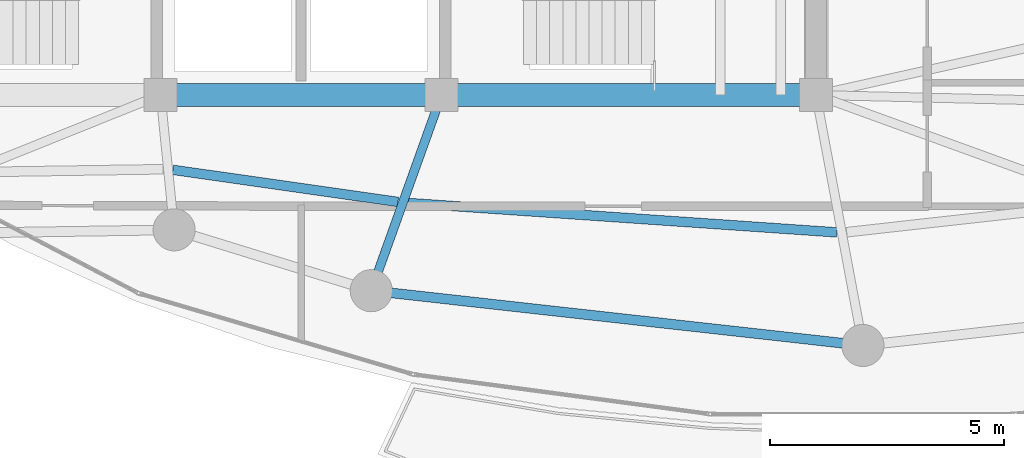
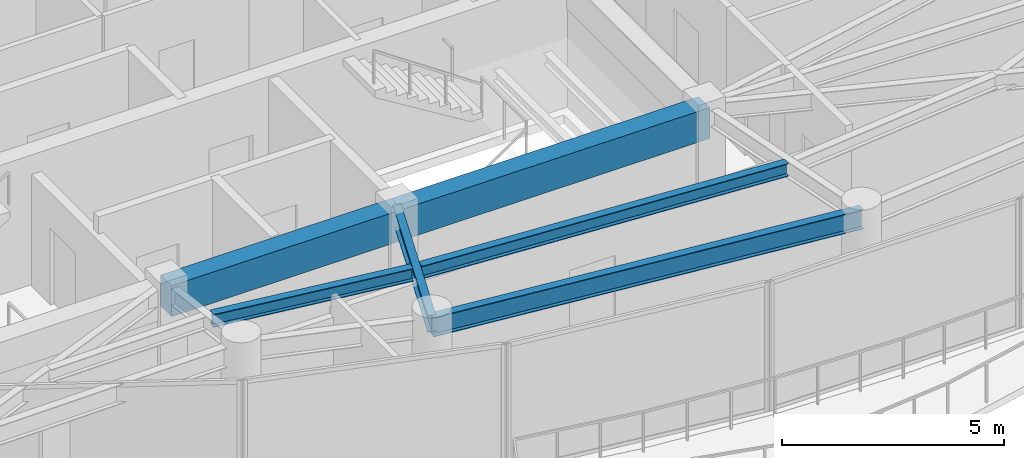
# One storey, part 6 of 29: 6 beams.
"""IFC4 building model written with IfcOpenShell, lengths in metres."""

from ifc_helpers import new_model, si_unit, direction, frame, origin, origin_2d, place, context, subcontext, project, spatial, rectangle, i_section, extrude, material, material_profile, profile_set, type_object, element, save


model = new_model("IFC4")

# Units and contexts
model_context = context("Model", 3, precision=1e-05, world=origin(), true_north=direction((0.0, 1.0)))
body_context = subcontext(model_context, "Body", "Model", "MODEL_VIEW")
ifc_project = project(units=[si_unit("LENGTHUNIT", "METRE"), si_unit("AREAUNIT", "SQUARE_METRE"), si_unit("VOLUMEUNIT", "CUBIC_METRE"), si_unit("PLANEANGLEUNIT", "RADIAN"), si_unit("MASSUNIT", "GRAM", prefix="KILO")], contexts=[model_context])

# Site, building, storey
site_placement = place(None, origin())
site = spatial("IfcSite", under=ifc_project, at=site_placement, CompositionType="ELEMENT")
building_placement = place(site_placement, origin())
building = spatial("IfcBuilding", under=site, at=building_placement, Name="Kazevale Care Tower and Concert Hall", CompositionType="ELEMENT")
storey_placement = place(building_placement, frame((0.0, 0.0, 285.199951171875)))
storey = spatial("IfcBuildingStorey", under=building, at=storey_placement, Name="L75", CompositionType="ELEMENT", Elevation=285.199951171875)

# Beams
ifc_material_1 = material(Name="Concrete C60", Category="concrete")
ifc_material_profile_1 = material_profile(ifc_material_1, rectangle(XDim=0.5, YDim=0.85009765625, at=origin_2d()), Name="RC-B500x850")
ifc_profile_set_1 = profile_set([ifc_material_profile_1], Name="Concrete C60")
beam_type_1 = type_object("IfcBeamType", Name="Core Coupling Beam RC500x850", PredefinedType="LINTEL", material=ifc_profile_set_1)
beam_1_placement = place(storey_placement, frame((30.0, 23.60009765625, 3.135009765625), z_axis=(1.0, 0.0, 0.0), x_axis=(0.0, 1.0, 0.0)))
element("IfcBeam", 1, at=beam_1_placement, inside=storey, type_object=beam_type_1, Name="beam:L75:coretie:2", PredefinedType="LINTEL", context=body_context, shape_type="SweptSolid", body=[
    extrude(rectangle(XDim=0.5, YDim=0.85009765625, at=origin_2d()), origin(), (0.0, 0.0, 1.0), 6.0),
])
beam_2_placement = place(storey_placement, frame((36.0, 23.60009765625, 3.135009765625), z_axis=(1.0, 0.0, 0.0), x_axis=(0.0, 1.0, 0.0)))
element("IfcBeam", 2, at=beam_2_placement, inside=storey, type_object=beam_type_1, Name="beam:L75:coretie:3", PredefinedType="LINTEL", context=body_context, shape_type="SweptSolid", body=[
    extrude(rectangle(XDim=0.5, YDim=0.85009765625, at=origin_2d()), origin(), (0.0, 0.0, 1.0), 8.0),
])
ifc_material_2 = material(Name="Steel ASTM A572 Gr 50", Category="steel")
ifc_material_profile_2 = material_profile(ifc_material_2, i_section(OverallWidth=0.19091796875, OverallDepth=0.4599609375, WebThickness=0.010009765625, FlangeThickness=0.01611328125, at=origin_2d()), Name="W460x82")
ifc_profile_set_2 = profile_set([ifc_material_profile_2], Name="Steel ASTM A572 Gr 50")
beam_type_2 = type_object("IfcBeamType", Name="Radial Floor Beam W460x82", PredefinedType="BEAM", material=ifc_profile_set_2)
beam_3_placement = place(storey_placement, frame((36.0, 23.60009765625, 3.330078125), z_axis=(-0.33774987593, -0.941235900988, 0.0), x_axis=(0.941235900988, -0.33774987593, 0.0)))
element("IfcBeam", 3, at=beam_3_placement, inside=storey, type_object=beam_type_2, Name="beam:L75:rad:12", PredefinedType="BEAM", context=body_context, shape_type="SweptSolid", body=[
    extrude(i_section(OverallWidth=0.19091796875, OverallDepth=0.4599609375, WebThickness=0.010009765625, FlangeThickness=0.01611328125, at=origin_2d()), origin(), (0.0, 0.0, 1.0), 4.441162109375),
])
ifc_material_profile_3 = material_profile(ifc_material_2, i_section(OverallWidth=0.205078125, OverallDepth=0.35400390625, WebThickness=0.009521484375, FlangeThickness=0.016845703125, at=origin_2d()), Name="W360x79")
ifc_profile_set_3 = profile_set([ifc_material_profile_3], Name="Steel ASTM A572 Gr 50")
beam_type_3 = type_object("IfcBeamType", Name="Secondary Floor Joist W360x79", PredefinedType="JOIST", material=ifc_profile_set_3)
beam_4_placement = place(storey_placement, frame((30.262939453125, 22.0009765625, 3.383056640625), z_axis=(0.99000170599, -0.141055386768, 0.0), x_axis=(0.141055386768, 0.99000170599, 0.0)))
element("IfcBeam", 4, at=beam_4_placement, inside=storey, type_object=beam_type_3, Name="beam:L75:joist:11", PredefinedType="JOIST", context=body_context, shape_type="SweptSolid", body=[
    extrude(i_section(OverallWidth=0.205078125, OverallDepth=0.35400390625, WebThickness=0.009521484375, FlangeThickness=0.016845703125, at=origin_2d()), origin(), (0.0, 0.0, 1.0), 4.856689453125),
])
beam_5_placement = place(storey_placement, frame((35.280029296875, 21.2939453125, 3.383056640625), z_axis=(0.997653920332, -0.068459150207, 0.0), x_axis=(0.068459150207, 0.997653920332, 0.0)))
element("IfcBeam", 5, at=beam_5_placement, inside=storey, type_object=beam_type_3, Name="beam:L75:joist:12", PredefinedType="JOIST", context=body_context, shape_type="SweptSolid", body=[
    extrude(i_section(OverallWidth=0.205078125, OverallDepth=0.35400390625, WebThickness=0.009521484375, FlangeThickness=0.016845703125, at=origin_2d()), origin(), (0.0, 0.0, 1.0), 9.1865234375),
])
ifc_material_profile_4 = material_profile(ifc_material_2, i_section(OverallWidth=0.208984375, OverallDepth=0.532958984375, WebThickness=0.01025390625, FlangeThickness=0.015625, at=origin_2d()), Name="W530x92")
ifc_profile_set_4 = profile_set([ifc_material_profile_4], Name="Steel ASTM A572 Gr 50")
beam_type_4 = type_object("IfcBeamType", Name="Upper Ring Beam W530x92", PredefinedType="BEAM", material=ifc_profile_set_4)
beam_6_placement = place(storey_placement, frame((34.5, 19.419921875, 3.29345703125), z_axis=(0.993849870772, -0.110735876598, 0.0), x_axis=(0.110735876598, 0.993849870772, 0.0)))
element("IfcBeam", 6, at=beam_6_placement, inside=storey, type_object=beam_type_4, Name="beam:L75:ring:12", PredefinedType="BEAM", context=body_context, shape_type="SweptSolid", body=[
    extrude(i_section(OverallWidth=0.208984375, OverallDepth=0.532958984375, WebThickness=0.01025390625, FlangeThickness=0.015625, at=origin_2d()), origin(), (0.0, 0.0, 1.0), 10.56494140625),
])

save(model, "model.ifc")
